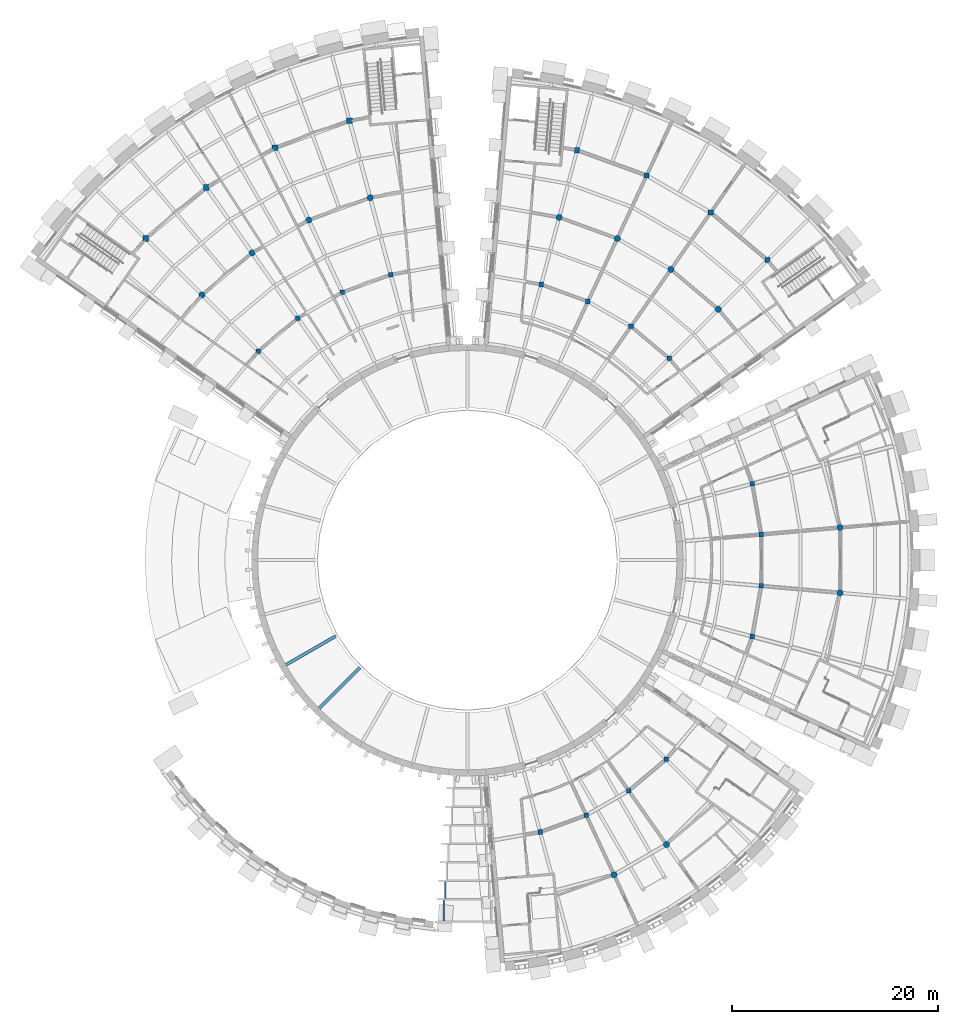
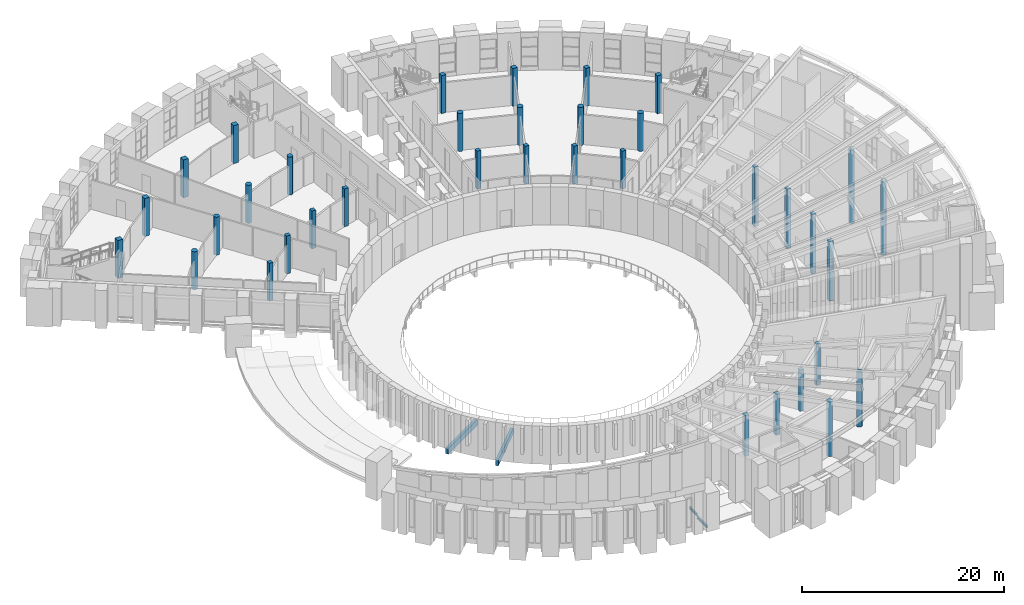
# One storey, part 1 of 50: 36 columns, 4 beams.
"""IFC4 building model written with IfcOpenShell, lengths in metres."""

from ifc_helpers import new_model, si_unit, direction, frame, origin, origin_2d, place, context, subcontext, project, spatial, rectangle, circle, i_section, extrude, material, material_profile, profile_set, type_object, element, save


model = new_model("IFC4")

# Units and contexts
model_context = context("Model", 3, precision=1e-05, world=origin(), true_north=direction((0.0, 1.0)))
body_context = subcontext(model_context, "Body", "Model", "MODEL_VIEW")
ifc_project = project(units=[si_unit("LENGTHUNIT", "METRE"), si_unit("AREAUNIT", "SQUARE_METRE"), si_unit("VOLUMEUNIT", "CUBIC_METRE"), si_unit("PLANEANGLEUNIT", "RADIAN"), si_unit("MASSUNIT", "GRAM", prefix="KILO")], contexts=[model_context])

# Site, building, storey
site_placement = place(None, origin())
site = spatial("IfcSite", under=ifc_project, at=site_placement, CompositionType="ELEMENT")
building_placement = place(site_placement, origin())
building = spatial("IfcBuilding", under=site, at=building_placement, Name="Volute Hill Aquarium", CompositionType="ELEMENT")
storey_placement = place(building_placement, frame((0.0, 0.0, 9.199951171875)))
storey = spatial("IfcBuildingStorey", under=building, at=storey_placement, Name="L03", CompositionType="ELEMENT", Elevation=9.199951171875)

# Columns
ifc_material_1 = material(Name="Concrete C35/45", Category="concrete")
ifc_material_profile_1 = material_profile(ifc_material_1, rectangle(XDim=0.449951171875, YDim=0.449951171875, at=origin_2d()), Name="RC column 450x450")
ifc_profile_set_1 = profile_set([ifc_material_profile_1], Name="Concrete C35/45")
column_type_1 = type_object("IfcColumnType", Name="Column column 450x450 C35/45", PredefinedType="COLUMN", material=ifc_profile_set_1)
for number, where, z_axis, x_axis, name in (
    (1, (7.08740234375, -26.4501953125, 0.0), (0.0, 0.0, 1.0), (1.0, 0.0, 0.0), "col/S3/L03/1.1"),
    (2, (11.57275390625, -24.817626953125, 0.0), (0.0, 0.0, 1.0), (1.0, 0.0, 0.0), "col/S3/L03/1.2"),
    (3, (15.706298828125, -22.43115234375, 0.0), (0.0, 0.0, 1.0), (1.0, 0.0, 0.0), "col/S3/L03/1.3"),
    (4, (19.36279296875, -19.36279296875, 0.0), (0.0, 0.0, 1.0), (1.0, 0.0, 0.0), "col/S3/L03/1.4"),
):
    element("IfcColumn", number, at=place(storey_placement, frame(where, z_axis=z_axis, x_axis=x_axis)), inside=storey, type_object=column_type_1, Name=name, PredefinedType="COLUMN", context=body_context, shape_type="SweptSolid", body=[
        extrude(rectangle(XDim=0.449951171875, YDim=0.449951171875, at=origin_2d()), origin(), (0.0, 0.0, 1.0), 4.98291015625),
    ])
for number, where, z_axis, x_axis, name in (
    (5, (27.72216796875, -7.427978515625, 0.0), (0.0, 0.0, 1.0), (1.0, 0.0, 0.0), "col/S4/L03/1.1"),
    (6, (28.5908203125, -2.50146484375, 0.0), (0.0, 0.0, 1.0), (1.0, 0.0, 0.0), "col/S4/L03/1.2"),
    (7, (28.5908203125, 2.50146484375, 0.0), (0.0, 0.0, 1.0), (1.0, 0.0, 0.0), "col/S4/L03/1.3"),
    (8, (27.72216796875, 7.427978515625, 0.0), (0.0, 0.0, 1.0), (1.0, 0.0, 0.0), "col/S4/L03/1.4"),
):
    element("IfcColumn", number, at=place(storey_placement, frame(where, z_axis=z_axis, x_axis=x_axis)), inside=storey, type_object=column_type_1, Name=name, PredefinedType="COLUMN", context=body_context, shape_type="SweptSolid", body=[
        extrude(rectangle(XDim=0.449951171875, YDim=0.449951171875, at=origin_2d()), origin(), (0.0, 0.0, 1.0), 7.221435546875),
    ])
for number, where, z_axis, x_axis, name in (
    (9, (19.631103515625, 19.631103515625, 0.0), (0.0, 0.0, 1.0), (1.0, 0.0, 0.0), "col/S5/L03/1.1"),
    (10, (15.923828125, 22.74169921875, 0.0), (0.0, 0.0, 1.0), (1.0, 0.0, 0.0), "col/S5/L03/1.2"),
    (11, (11.73291015625, 25.161376953125, 0.0), (0.0, 0.0, 1.0), (1.0, 0.0, 0.0), "col/S5/L03/1.3"),
    (12, (7.185546875, 26.81640625, 0.0), (0.0, 0.0, 1.0), (1.0, 0.0, 0.0), "col/S5/L03/1.4"),
    (13, (-7.44091796875, 27.7705078125, 0.0), (0.0, 0.0, 1.0), (1.0, 0.0, 0.0), "col/S6/L03/1.1"),
    (14, (-12.150390625, 26.056396484375, 0.0), (0.0, 0.0, 1.0), (1.0, 0.0, 0.0), "col/S6/L03/1.2"),
    (15, (-16.490234375, 23.550537109375, 0.0), (0.0, 0.0, 1.0), (1.0, 0.0, 0.0), "col/S6/L03/1.3"),
    (16, (-20.329345703125, 20.329345703125, 0.0), (0.0, 0.0, 1.0), (1.0, 0.0, 0.0), "col/S6/L03/1.4"),
):
    element("IfcColumn", number, at=place(storey_placement, frame(where, z_axis=z_axis, x_axis=x_axis)), inside=storey, type_object=column_type_1, Name=name, PredefinedType="COLUMN", context=body_context, shape_type="SweptSolid", body=[
        extrude(rectangle(XDim=0.449951171875, YDim=0.449951171875, at=origin_2d()), origin(), (0.0, 0.0, 1.0), 4.60009765625),
    ])
ifc_material_2 = material(Name="Concrete C35/45", Category="concrete")
ifc_material_profile_2 = material_profile(ifc_material_2, rectangle(XDim=0.5, YDim=0.5, at=origin_2d()), Name="RC column 500x500")
ifc_profile_set_2 = profile_set([ifc_material_profile_2], Name="Concrete C35/45")
column_type_2 = type_object("IfcColumnType", Name="Column column 500x500 C35/45", PredefinedType="COLUMN", material=ifc_profile_set_2)
for number, where, z_axis, x_axis, name in (
    (17, (29.194580078125, 29.194580078125, 0.0), (0.0, 0.0, 1.0), (1.0, 0.0, 0.0), "col/S5/L03/3.1"),
    (18, (23.681396484375, 33.82080078125, 0.0), (0.0, 0.0, 1.0), (1.0, 0.0, 0.0), "col/S5/L03/3.2"),
    (19, (17.448974609375, 37.419189453125, 0.0), (0.0, 0.0, 1.0), (1.0, 0.0, 0.0), "col/S5/L03/3.3"),
    (20, (10.68603515625, 39.880615234375, 0.0), (0.0, 0.0, 1.0), (1.0, 0.0, 0.0), "col/S5/L03/3.4"),
):
    element("IfcColumn", number, at=place(storey_placement, frame(where, z_axis=z_axis, x_axis=x_axis)), inside=storey, type_object=column_type_2, Name=name, PredefinedType="COLUMN", context=body_context, shape_type="SweptSolid", body=[
        extrude(rectangle(XDim=0.5, YDim=0.5, at=origin_2d()), origin(), (0.0, 0.0, 1.0), 4.60009765625),
    ])
ifc_material_3 = material(Name="Concrete C35/45", Category="concrete")
ifc_material_profile_3 = material_profile(ifc_material_3, rectangle(XDim=0.550048828125, YDim=0.550048828125, at=origin_2d()), Name="RC column 550x550")
ifc_profile_set_3 = profile_set([ifc_material_profile_3], Name="Concrete C35/45")
column_type_3 = type_object("IfcColumnType", Name="Column column 550x550 C35/45", PredefinedType="COLUMN", material=ifc_profile_set_3)
for number, where, z_axis, x_axis, name in (
    (21, (-11.45263671875, 42.7421875, 0.0), (0.0, 0.0, 1.0), (1.0, 0.0, 0.0), "col/S6/L03/3.1"),
    (22, (-18.700927734375, 40.10400390625, 0.0), (0.0, 0.0, 1.0), (1.0, 0.0, 0.0), "col/S6/L03/3.2"),
    (23, (-25.380859375, 36.24755859375, 0.0), (0.0, 0.0, 1.0), (1.0, 0.0, 0.0), "col/S6/L03/3.3"),
    (24, (-31.28955078125, 31.28955078125, 0.0), (0.0, 0.0, 1.0), (1.0, 0.0, 0.0), "col/S6/L03/3.4"),
):
    element("IfcColumn", number, at=place(storey_placement, frame(where, z_axis=z_axis, x_axis=x_axis)), inside=storey, type_object=column_type_3, Name=name, PredefinedType="COLUMN", context=body_context, shape_type="SweptSolid", body=[
        extrude(rectangle(XDim=0.550048828125, YDim=0.550048828125, at=origin_2d()), origin(), (0.0, 0.0, 1.0), 4.60009765625),
    ])
ifc_material_4 = material(Name="Concrete C35/45", Category="concrete")
ifc_material_profile_4 = material_profile(ifc_material_4, circle(Radius=0.300048828125, at=origin_2d()), Name="RC round column D600")
ifc_profile_set_4 = profile_set([ifc_material_profile_4], Name="Concrete C35/45")
column_type_4 = type_object("IfcColumnType", Name="Column round column D600 C35/45", PredefinedType="COLUMN", material=ifc_profile_set_4)
for number, where, z_axis, x_axis, name in (
    (25, (14.2705078125, -30.60302734375, 0.0), (0.0, 0.0, 1.0), (1.0, 0.0, 0.0), "col/S3/L03/2.2"),
    (26, (19.367919921875, -27.66015625, 0.0), (0.0, 0.0, 1.0), (1.0, 0.0, 0.0), "col/S3/L03/2.3"),
):
    element("IfcColumn", number, at=place(storey_placement, frame(where, z_axis=z_axis, x_axis=x_axis)), inside=storey, type_object=column_type_4, Name=name, PredefinedType="COLUMN", context=body_context, shape_type="SweptSolid", body=[
        extrude(circle(Radius=0.300048828125, at=origin_2d()), origin(), (0.0, 0.0, 1.0), 6.6240234375),
    ])
for number, where, z_axis, x_axis, name in (
    (27, (36.261474609375, -3.172607421875, 0.0), (0.0, 0.0, 1.0), (1.0, 0.0, 0.0), "col/S4/L03/2.2"),
    (28, (36.261474609375, 3.172607421875, 0.0), (0.0, 0.0, 1.0), (1.0, 0.0, 0.0), "col/S4/L03/2.3"),
):
    element("IfcColumn", number, at=place(storey_placement, frame(where, z_axis=z_axis, x_axis=x_axis)), inside=storey, type_object=column_type_4, Name=name, PredefinedType="COLUMN", context=body_context, shape_type="SweptSolid", body=[
        extrude(circle(Radius=0.300048828125, at=origin_2d()), origin(), (0.0, 0.0, 1.0), 8.900146484375),
    ])
for number, where, z_axis, x_axis, name in (
    (29, (24.412841796875, 24.412841796875, 0.0), (0.0, 0.0, 1.0), (1.0, 0.0, 0.0), "col/S5/L03/2.1"),
    (30, (19.802734375, 28.28125, 0.0), (0.0, 0.0, 1.0), (1.0, 0.0, 0.0), "col/S5/L03/2.2"),
    (31, (14.5908203125, 31.290283203125, 0.0), (0.0, 0.0, 1.0), (1.0, 0.0, 0.0), "col/S5/L03/2.3"),
    (32, (8.935791015625, 33.3486328125, 0.0), (0.0, 0.0, 1.0), (1.0, 0.0, 0.0), "col/S5/L03/2.4"),
    (33, (-9.447021484375, 35.25634765625, 0.0), (0.0, 0.0, 1.0), (1.0, 0.0, 0.0), "col/S6/L03/2.1"),
    (34, (-15.425537109375, 33.080078125, 0.0), (0.0, 0.0, 1.0), (1.0, 0.0, 0.0), "col/S6/L03/2.2"),
    (35, (-20.935546875, 29.89892578125, 0.0), (0.0, 0.0, 1.0), (1.0, 0.0, 0.0), "col/S6/L03/2.3"),
    (36, (-25.809326171875, 25.809326171875, 0.0), (0.0, 0.0, 1.0), (1.0, 0.0, 0.0), "col/S6/L03/2.4"),
):
    element("IfcColumn", number, at=place(storey_placement, frame(where, z_axis=z_axis, x_axis=x_axis)), inside=storey, type_object=column_type_4, Name=name, PredefinedType="COLUMN", context=body_context, shape_type="SweptSolid", body=[
        extrude(circle(Radius=0.300048828125, at=origin_2d()), origin(), (0.0, 0.0, 1.0), 4.60009765625),
    ])

# Beams
ifc_material_5 = material(Name="Concrete C35/45", Category="concrete")
ifc_material_profile_5 = material_profile(ifc_material_5, rectangle(XDim=0.300048828125, YDim=0.699951171875, at=origin_2d()), Name="RC beam 300x700")
ifc_profile_set_5 = profile_set([ifc_material_profile_5], Name="Concrete C35/45")
beam_type_1 = type_object("IfcBeamType", Name="Gallery beam RC 300x700", PredefinedType="BEAM", material=ifc_profile_set_5)
beam_1_placement = place(storey_placement, frame((-12.77392578125, -7.375, -0.64990234375), z_axis=(-0.866018712932, -0.500011588718, 0.0), x_axis=(0.500011588718, -0.866018712932, 0.0)))
element("IfcBeam", 37, at=beam_1_placement, inside=storey, type_object=beam_type_1, Name="bm/DR/L03/14", PredefinedType="BEAM", context=body_context, shape_type="SweptSolid", body=[
    extrude(rectangle(XDim=0.300048828125, YDim=0.699951171875, at=origin_2d()), origin(), (0.0, 0.0, 1.0), 5.749755859375),
])
beam_2_placement = place(storey_placement, frame((-10.4296875, -10.4296875, -0.64990234375), z_axis=(-0.707106781187, -0.707106781187, 0.0), x_axis=(0.707106781187, -0.707106781187, 0.0)))
element("IfcBeam", 38, at=beam_2_placement, inside=storey, type_object=beam_type_1, Name="bm/DR/L03/15", PredefinedType="BEAM", context=body_context, shape_type="SweptSolid", body=[
    extrude(rectangle(XDim=0.300048828125, YDim=0.699951171875, at=origin_2d()), origin(), (0.0, 0.0, 1.0), 5.75),
])
ifc_material_6 = material(Name="Steel S355", Category="steel")
ifc_material_profile_6 = material_profile(ifc_material_6, i_section(OverallWidth=0.14990234375, OverallDepth=0.300048828125, WebThickness=0.007080078125, FlangeThickness=0.0107421875, FilletRadius=0.014892578125, at=origin_2d()), Name="IPE 300")
ifc_profile_set_6 = profile_set([ifc_material_profile_6], Name="Steel S355")
beam_type_2 = type_object("IfcBeamType", Name="Passage roof beam IPE 300", PredefinedType="BEAM", material=ifc_profile_set_6)
beam_3_placement = place(storey_placement, frame((-2.154052734375, -31.300048828125, -0.14990234375), z_axis=(0.0, -1.0, 0.0), x_axis=(1.0, 0.0, 0.0)))
element("IfcBeam", 39, at=beam_3_placement, inside=storey, type_object=beam_type_2, Name="ps/SC3/L03/e6.0", PredefinedType="BEAM", context=body_context, shape_type="SweptSolid", body=[
    extrude(i_section(OverallWidth=0.14990234375, OverallDepth=0.300048828125, WebThickness=0.007080078125, FlangeThickness=0.0107421875, FilletRadius=0.014892578125, at=origin_2d()), origin(), (0.0, 0.0, 1.0), 1.599853515625),
])
beam_4_placement = place(storey_placement, frame((-2.31103515625, -33.10009765625, -0.14990234375), z_axis=(0.0, -1.0, 0.0), x_axis=(1.0, 0.0, 0.0)))
element("IfcBeam", 40, at=beam_4_placement, inside=storey, type_object=beam_type_2, Name="ps/SC3/L03/e7.0", PredefinedType="BEAM", context=body_context, shape_type="SweptSolid", body=[
    extrude(i_section(OverallWidth=0.14990234375, OverallDepth=0.300048828125, WebThickness=0.007080078125, FlangeThickness=0.0107421875, FilletRadius=0.014892578125, at=origin_2d()), origin(), (0.0, 0.0, 1.0), 2.0),
])

save(model, "model.ifc")
